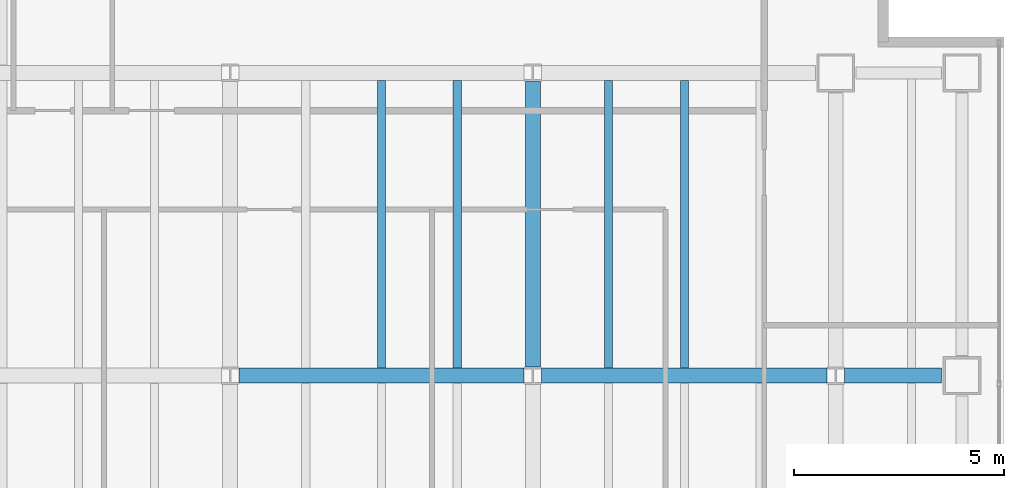
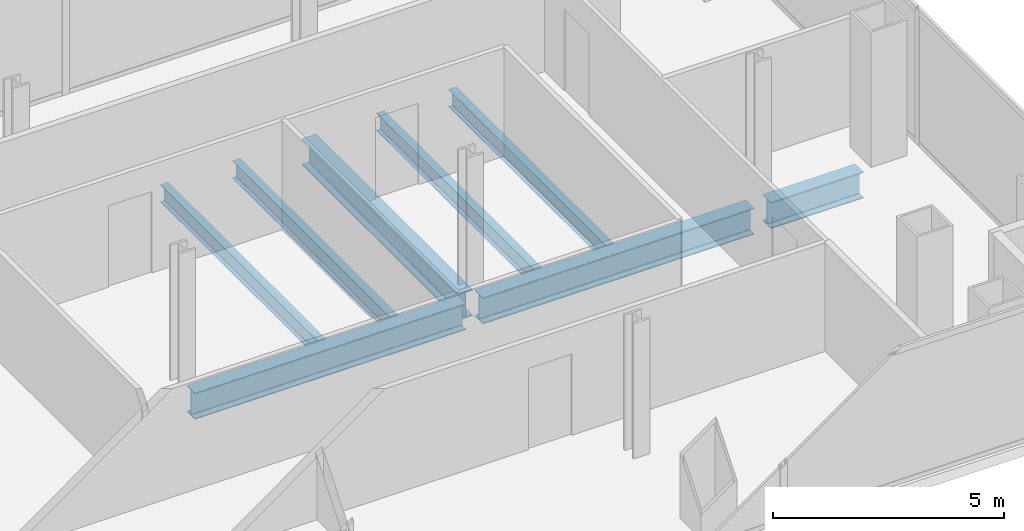
# One storey, part 12 of 23: 8 beams.
"""IFC4 building model written with IfcOpenShell, lengths in metres."""

from ifc_helpers import new_model, si_unit, direction, frame, origin, origin_2d, place, context, subcontext, project, spatial, i_section, extrude, material, material_profile, profile_set, type_object, element, save


model = new_model("IFC4")

# Units and contexts
model_context = context("Model", 3, precision=1e-05, world=origin(), true_north=direction((0.0, 1.0)))
body_context = subcontext(model_context, "Body", "Model", "MODEL_VIEW")
ifc_project = project(units=[si_unit("LENGTHUNIT", "METRE"), si_unit("AREAUNIT", "SQUARE_METRE"), si_unit("VOLUMEUNIT", "CUBIC_METRE"), si_unit("PLANEANGLEUNIT", "RADIAN"), si_unit("MASSUNIT", "GRAM", prefix="KILO")], contexts=[model_context])

# Site, building, storey
site_placement = place(None, origin())
site = spatial("IfcSite", under=ifc_project, at=site_placement, CompositionType="ELEMENT")
building_placement = place(site_placement, origin())
building = spatial("IfcBuilding", under=site, at=building_placement, Name="Cobrela Telecom Tower", CompositionType="ELEMENT")
storey_placement = place(building_placement, frame((0.0, 0.0, 117.60009765625)))
storey = spatial("IfcBuildingStorey", under=building, at=storey_placement, Name="L29", CompositionType="ELEMENT", Elevation=117.60009765625)

# Beams
ifc_material = material(Name="Steel ASTM A992 Grade 50", Category="steel")
ifc_material_profile_1 = material_profile(ifc_material, i_section(OverallWidth=0.35595703125, OverallDepth=0.696044921875, WebThickness=0.015380859375, FlangeThickness=0.024658203125, FilletRadius=0.01806640625, at=origin_2d()), Name="W27X146")
ifc_profile_set_1 = profile_set([ifc_material_profile_1], Name="Steel ASTM A992 Grade 50")
beam_type_1 = type_object("IfcBeamType", Name="BM-GIRD-05", PredefinedType="USERDEFINED", material=ifc_profile_set_1)
for number, where, z_axis, x_axis, name in (
    (1, (29.009521484375, 14.39990234375, -0.6181640625), (1.0, 0.0, 0.0), (0.0, 1.0, 0.0), "L29 Primary Girder X15"),
    (2, (36.20947265625, 14.39990234375, -0.6181640625), (1.0, 0.0, 0.0), (0.0, 1.0, 0.0), "L29 Primary Girder X16"),
):
    element("IfcBeam", number, at=place(storey_placement, frame(where, z_axis=z_axis, x_axis=x_axis)), inside=storey, type_object=beam_type_1, Name=name, ObjectType="GIRDER", PredefinedType="USERDEFINED", context=body_context, shape_type="SweptSolid", body=[
        extrude(i_section(OverallWidth=0.35595703125, OverallDepth=0.696044921875, WebThickness=0.015380859375, FlangeThickness=0.024658203125, FilletRadius=0.01806640625, at=origin_2d()), origin(), (0.0, 0.0, 1.0), 6.781005859375),
    ])
beam_1_placement = place(storey_placement, frame((43.409423828125, 14.39990234375, -0.6181640625), z_axis=(1.0, 0.0, 0.0), x_axis=(0.0, 1.0, 0.0)))
element("IfcBeam", 3, at=beam_1_placement, inside=storey, type_object=beam_type_1, Name="L29 Primary Girder X17", ObjectType="GIRDER", PredefinedType="USERDEFINED", context=body_context, shape_type="SweptSolid", body=[
    extrude(i_section(OverallWidth=0.35595703125, OverallDepth=0.696044921875, WebThickness=0.015380859375, FlangeThickness=0.024658203125, FilletRadius=0.01806640625, at=origin_2d()), origin(), (0.0, 0.0, 1.0), 2.310546875),
])
beam_2_placement = place(storey_placement, frame((36.0, 14.609619140625, -0.6181640625), z_axis=(0.0, 1.0, 0.0), x_axis=(-1.0, 0.0, 0.0)))
element("IfcBeam", 4, at=beam_2_placement, inside=storey, type_object=beam_type_1, Name="L29 Primary Girder Y51", ObjectType="GIRDER", PredefinedType="USERDEFINED", context=body_context, shape_type="SweptSolid", body=[
    extrude(i_section(OverallWidth=0.35595703125, OverallDepth=0.696044921875, WebThickness=0.015380859375, FlangeThickness=0.024658203125, FilletRadius=0.01806640625, at=origin_2d()), origin(), (0.0, 0.0, 1.0), 6.78076171875),
])
ifc_material_profile_2 = material_profile(ifc_material, i_section(OverallWidth=0.193115234375, OverallDepth=0.467041015625, WebThickness=0.011474609375, FlangeThickness=0.01904296875, FilletRadius=0.012939453125, at=origin_2d()), Name="W18X65")
ifc_profile_set_2 = profile_set([ifc_material_profile_2], Name="Steel ASTM A992 Grade 50")
beam_type_2 = type_object("IfcBeamType", Name="BM-JOIST-03", PredefinedType="JOIST", material=ifc_profile_set_2)
for number, where, z_axis, x_axis, name in (
    (5, (32.39990234375, 14.5830078125, -0.503662109375), (0.0, 1.0, 0.0), (-1.0, 0.0, 0.0), "L29 Secondary Composite Floor Beam J30"),
    (6, (34.199951171875, 14.5830078125, -0.503662109375), (0.0, 1.0, 0.0), (-1.0, 0.0, 0.0), "L29 Secondary Composite Floor Beam J32"),
    (7, (37.800048828125, 14.5830078125, -0.503662109375), (0.0, 1.0, 0.0), (-1.0, 0.0, 0.0), "L29 Secondary Composite Floor Beam J34"),
    (8, (39.60009765625, 14.5830078125, -0.503662109375), (0.0, 1.0, 0.0), (-1.0, 0.0, 0.0), "L29 Secondary Composite Floor Beam J36"),
):
    element("IfcBeam", number, at=place(storey_placement, frame(where, z_axis=z_axis, x_axis=x_axis)), inside=storey, type_object=beam_type_2, Name=name, PredefinedType="JOIST", context=body_context, shape_type="SweptSolid", body=[
        extrude(i_section(OverallWidth=0.193115234375, OverallDepth=0.467041015625, WebThickness=0.011474609375, FlangeThickness=0.01904296875, FilletRadius=0.012939453125, at=origin_2d()), origin(), (0.0, 0.0, 1.0), 6.833984375),
    ])

save(model, "model.ifc")
